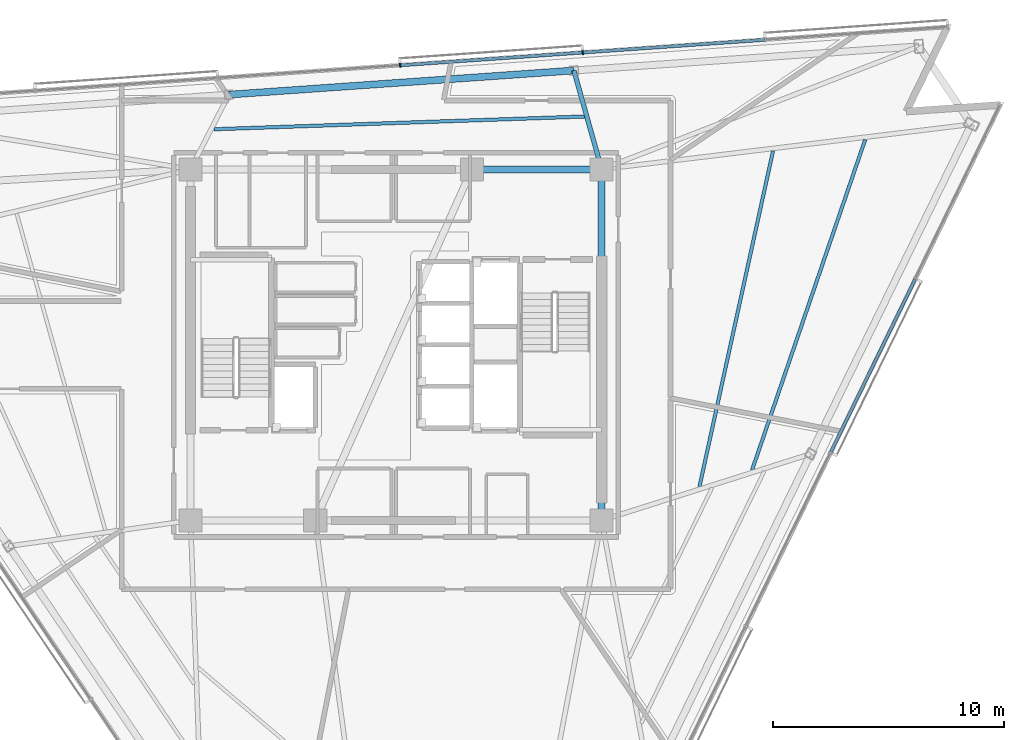
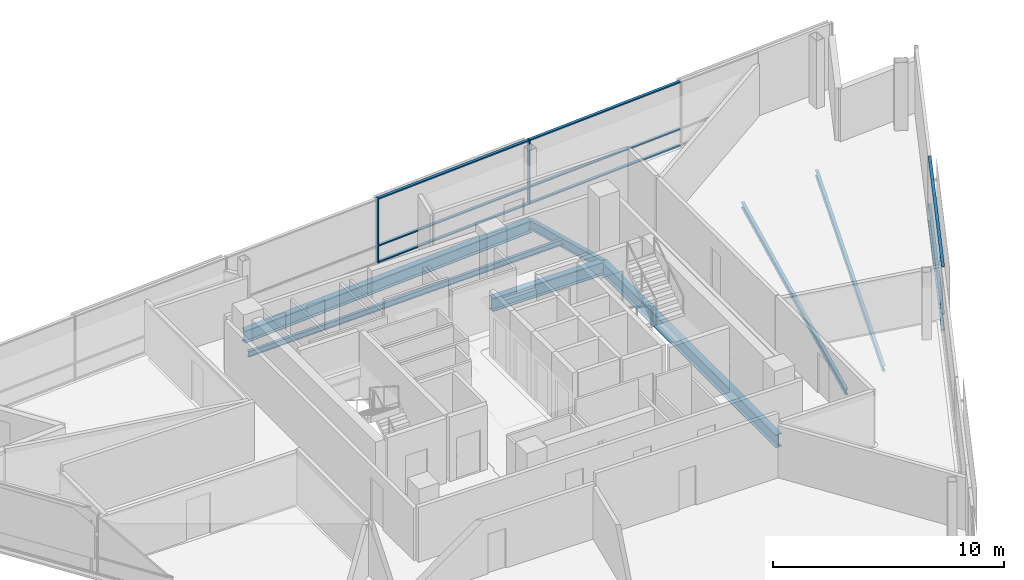
# One storey, part 6 of 16: 11 members, 7 beams, 2 elements without a shape of their own.
"""IFC4 building model written with IfcOpenShell, lengths in metres."""

from ifc_helpers import new_model, si_unit, direction, frame, origin, origin_2d, place, context, subcontext, project, spatial, rectangle, i_section, extrude, material, layer, layer_set, material_profile, profile_set, type_object, element, aggregate, save


model = new_model("IFC4")

# Units and contexts
model_context = context("Model", 3, precision=1e-05, world=origin(), true_north=direction((0.0, 1.0)))
body_context = subcontext(model_context, "Body", "Model", "MODEL_VIEW")
ifc_project = project(units=[si_unit("LENGTHUNIT", "METRE"), si_unit("AREAUNIT", "SQUARE_METRE"), si_unit("VOLUMEUNIT", "CUBIC_METRE"), si_unit("PLANEANGLEUNIT", "RADIAN"), si_unit("MASSUNIT", "GRAM", prefix="KILO")], contexts=[model_context])

# Site, building, storey
site_placement = place(None, origin())
site = spatial("IfcSite", under=ifc_project, at=site_placement, CompositionType="ELEMENT")
building_placement = place(site_placement, origin())
building = spatial("IfcBuilding", under=site, at=building_placement, Name="Tharavind Bronze Gate", CompositionType="ELEMENT")
storey_placement = place(building_placement, frame((0.0, 0.0, 264.199951171875)))
storey = spatial("IfcBuildingStorey", under=building, at=storey_placement, Name="L68", CompositionType="ELEMENT", Elevation=264.199951171875)

# Curtain wall, members
ifc_material_1 = material(Name="Anodised Bronze Aluminium", Category="aluminium")
ifc_layer = layer(ifc_material_1, 0.219970703125)
ifc_layer_set = layer_set([ifc_layer], Name="Anodised Bronze Aluminium")
curtain_wall_type = type_object("IfcCurtainWallType", Name="UNITISED CURTAIN WALL UPPER OFFICE", PredefinedType="USERDEFINED", material=ifc_layer_set)
curtain_wall_1_placement = place(storey_placement, origin())
curtain_wall_1 = element("IfcCurtainWall", 1, at=curtain_wall_1_placement, inside=storey, type_object=curtain_wall_type, Name="L68 unitised curtain wall upper office CW-L68-S3", ObjectType="UNITISED CURTAIN WALL", PredefinedType="USERDEFINED")
member_type_1 = type_object("IfcMemberType", Name="CURTAIN WALL BRONZE MULLION 65X180", PredefinedType="MULLION", material=ifc_material_1)
member_1_placement = place(storey_placement, frame((8.078369140625, 12.656005859375, 0.0), z_axis=(0.0, 0.0, 1.0), x_axis=(-0.997563806758, -0.069759955899, 0.0)))
member_1 = element("IfcMember", 2, at=member_1_placement, type_object=member_type_1, Name="CW-L68-S3 mullion 3", PredefinedType="MULLION", context=body_context, shape_type="SweptSolid", body=[
    extrude(rectangle(XDim=0.06494140625, YDim=0.179931640625, at=origin_2d()), origin(), (0.0, 0.0, 1.0), 3.419921875),
])
member_2_placement = place(storey_placement, frame((0.177490234375, 12.103515625, 0.0), z_axis=(0.0, 0.0, 1.0), x_axis=(-0.997563806758, -0.069759955899, 0.0)))
member_2 = element("IfcMember", 3, at=member_2_placement, type_object=member_type_1, Name="CW-L68-S3 mullion 4", PredefinedType="MULLION", context=body_context, shape_type="SweptSolid", body=[
    extrude(rectangle(XDim=0.06494140625, YDim=0.179931640625, at=origin_2d()), origin(), (0.0, 0.0, 1.0), 3.419921875),
])

curtain_wall_2_placement = place(storey_placement, origin())
curtain_wall_2 = element("IfcCurtainWall", 4, at=curtain_wall_2_placement, inside=storey, type_object=curtain_wall_type, Name="L68 unitised curtain wall upper office CW-L68-S2", ObjectType="UNITISED CURTAIN WALL", PredefinedType="USERDEFINED")
member_type_2 = type_object("IfcMemberType", Name="CURTAIN WALL BRONZE TRANSOM 65X140", PredefinedType="USERDEFINED", material=ifc_material_1)
member_3_placement = place(storey_placement, frame((20.64990234375, -0.89892578125, 0.0), z_axis=(0.0, 0.0, 1.0), x_axis=(0.43837271548, 0.898793281196, 0.0)))
member_3 = element("IfcMember", 5, at=member_3_placement, type_object=member_type_2, Name="CW-L68-S2 transom TB5", ObjectType="TRANSOM", PredefinedType="USERDEFINED", context=body_context, shape_type="SweptSolid", body=[
    extrude(rectangle(XDim=8.3193359375, YDim=0.139892578125, at=origin_2d()), origin(), (0.0, 0.0, 1.0), 0.06494140625),
])
member_4_placement = place(storey_placement, frame((20.64990234375, -0.89892578125, 0.86767578125), z_axis=(0.0, 0.0, 1.0), x_axis=(0.43837271548, 0.898793281196, 0.0)))
member_4 = element("IfcMember", 6, at=member_4_placement, type_object=member_type_2, Name="CW-L68-S2 transom TS5", ObjectType="TRANSOM", PredefinedType="USERDEFINED", context=body_context, shape_type="SweptSolid", body=[
    extrude(rectangle(XDim=8.3193359375, YDim=0.139892578125, at=origin_2d()), origin(), (0.0, 0.0, 1.0), 0.06494140625),
])
member_5_placement = place(storey_placement, frame((20.64990234375, -0.89892578125, 3.35498046875), z_axis=(0.0, 0.0, 1.0), x_axis=(0.43837271548, 0.898793281196, 0.0)))
member_5 = element("IfcMember", 7, at=member_5_placement, type_object=member_type_2, Name="CW-L68-S2 transom TT5", ObjectType="TRANSOM", PredefinedType="USERDEFINED", context=body_context, shape_type="SweptSolid", body=[
    extrude(rectangle(XDim=8.3193359375, YDim=0.139892578125, at=origin_2d()), origin(), (0.0, 0.0, 1.0), 0.06494140625),
])
aggregate(curtain_wall_2, [member_3, member_4, member_5])

# Member
member_6_placement = place(storey_placement, frame((12.02880859375, 12.932373046875, 0.0), z_axis=(0.0, 0.0, 1.0), x_axis=(-0.997563806758, -0.069759955899, 0.0)))
member_6 = element("IfcMember", 8, at=member_6_placement, type_object=member_type_2, Name="CW-L68-S3 transom TB2", ObjectType="TRANSOM", PredefinedType="USERDEFINED", context=body_context, shape_type="SweptSolid", body=[
    extrude(rectangle(XDim=7.8671875, YDim=0.139892578125, at=origin_2d()), origin(), (0.0, 0.0, 1.0), 0.06494140625),
])

member_7_placement = place(storey_placement, frame((12.02880859375, 12.932373046875, 0.86767578125), z_axis=(0.0, 0.0, 1.0), x_axis=(-0.997563806758, -0.069759955899, 0.0)))
member_7 = element("IfcMember", 9, at=member_7_placement, type_object=member_type_2, Name="CW-L68-S3 transom TS2", ObjectType="TRANSOM", PredefinedType="USERDEFINED", context=body_context, shape_type="SweptSolid", body=[
    extrude(rectangle(XDim=7.8671875, YDim=0.139892578125, at=origin_2d()), origin(), (0.0, 0.0, 1.0), 0.06494140625),
])

member_8_placement = place(storey_placement, frame((12.02880859375, 12.932373046875, 3.35498046875), z_axis=(0.0, 0.0, 1.0), x_axis=(-0.997563806758, -0.069759955899, 0.0)))
member_8 = element("IfcMember", 10, at=member_8_placement, type_object=member_type_2, Name="CW-L68-S3 transom TT2", ObjectType="TRANSOM", PredefinedType="USERDEFINED", context=body_context, shape_type="SweptSolid", body=[
    extrude(rectangle(XDim=7.8671875, YDim=0.139892578125, at=origin_2d()), origin(), (0.0, 0.0, 1.0), 0.06494140625),
])

member_9_placement = place(storey_placement, frame((4.1279296875, 12.3798828125, 0.0), z_axis=(0.0, 0.0, 1.0), x_axis=(-0.997563806758, -0.069759955899, 0.0)))
member_9 = element("IfcMember", 11, at=member_9_placement, type_object=member_type_2, Name="CW-L68-S3 transom TB3", ObjectType="TRANSOM", PredefinedType="USERDEFINED", context=body_context, shape_type="SweptSolid", body=[
    extrude(rectangle(XDim=7.8671875, YDim=0.139892578125, at=origin_2d()), origin(), (0.0, 0.0, 1.0), 0.06494140625),
])

member_10_placement = place(storey_placement, frame((4.1279296875, 12.3798828125, 0.86767578125), z_axis=(0.0, 0.0, 1.0), x_axis=(-0.997563806758, -0.069759955899, 0.0)))
member_10 = element("IfcMember", 12, at=member_10_placement, type_object=member_type_2, Name="CW-L68-S3 transom TS3", ObjectType="TRANSOM", PredefinedType="USERDEFINED", context=body_context, shape_type="SweptSolid", body=[
    extrude(rectangle(XDim=7.8671875, YDim=0.139892578125, at=origin_2d()), origin(), (0.0, 0.0, 1.0), 0.06494140625),
])

member_11_placement = place(storey_placement, frame((4.1279296875, 12.3798828125, 3.35498046875), z_axis=(0.0, 0.0, 1.0), x_axis=(-0.997563806758, -0.069759955899, 0.0)))
member_11 = element("IfcMember", 13, at=member_11_placement, type_object=member_type_2, Name="CW-L68-S3 transom TT3", ObjectType="TRANSOM", PredefinedType="USERDEFINED", context=body_context, shape_type="SweptSolid", body=[
    extrude(rectangle(XDim=7.8671875, YDim=0.139892578125, at=origin_2d()), origin(), (0.0, 0.0, 1.0), 0.06494140625),
])

aggregate(curtain_wall_1, [member_1, member_2, member_6, member_7, member_8, member_9, member_10, member_11])

# Beams
ifc_material_2 = material(Name="Steel S355", Category="steel")
ifc_material_profile_1 = material_profile(ifc_material_2, i_section(OverallWidth=0.300048828125, OverallDepth=0.64990234375, WebThickness=0.01611328125, FlangeThickness=0.031005859375, at=origin_2d()), Name="HE650B")
ifc_profile_set_1 = profile_set([ifc_material_profile_1], Name="Steel S355")
beam_type_1 = type_object("IfcBeamType", Name="PRIMARY GIRDER HE650B", PredefinedType="USERDEFINED", material=ifc_profile_set_1)
beam_1_placement = place(storey_placement, frame((7.69873046875, 11.877685546875, -0.5048828125), z_axis=(-0.997563609873, -0.069762771286, 0.0), x_axis=(0.069762771286, -0.997563609873, 0.0)))
element("IfcBeam", 14, at=beam_1_placement, inside=storey, type_object=beam_type_1, Name="L68 primary girder he650b BM-L68-PRG10", ObjectType="GIRDER", PredefinedType="USERDEFINED", context=body_context, shape_type="SweptSolid", body=[
    extrude(i_section(OverallWidth=0.300048828125, OverallDepth=0.64990234375, WebThickness=0.01611328125, FlangeThickness=0.031005859375, at=origin_2d()), origin(), (0.0, 0.0, 1.0), 14.974609375),
])
ifc_material_profile_2 = material_profile(ifc_material_2, i_section(OverallWidth=0.199951171875, OverallDepth=0.5, WebThickness=0.01025390625, FlangeThickness=0.01611328125, at=origin_2d()), Name="IPE500")
ifc_profile_set_2 = profile_set([ifc_material_profile_2], Name="Steel S355")
beam_type_2 = type_object("IfcBeamType", Name="PRIMARY GIRDER IPE500", PredefinedType="USERDEFINED", material=ifc_profile_set_2)
beam_2_placement = place(storey_placement, frame((7.69873046875, 11.877685546875, -0.429931640625), z_axis=(0.270349324095, -0.962762298265, 0.0), x_axis=(0.962762298265, 0.270349324095, 0.0)))
element("IfcBeam", 15, at=beam_2_placement, inside=storey, type_object=beam_type_2, Name="L68 primary girder ipe500 BM-L68-RAD10", ObjectType="GIRDER", PredefinedType="USERDEFINED", context=body_context, shape_type="SweptSolid", body=[
    extrude(i_section(OverallWidth=0.199951171875, OverallDepth=0.5, WebThickness=0.01025390625, FlangeThickness=0.01611328125, at=origin_2d()), origin(), (0.0, 0.0, 1.0), 4.443115234375),
])
ifc_material_profile_3 = material_profile(ifc_material_2, i_section(OverallWidth=0.300048828125, OverallDepth=0.699951171875, WebThickness=0.01708984375, FlangeThickness=0.031982421875, at=origin_2d()), Name="HE700B")
ifc_profile_set_3 = profile_set([ifc_material_profile_3], Name="Steel S355")
beam_type_3 = type_object("IfcBeamType", Name="RING GIRDER HE700B", PredefinedType="USERDEFINED", material=ifc_profile_set_3)
beam_3_placement = place(storey_placement, frame((8.89990234375, -7.60009765625, -0.530029296875), z_axis=(0.0, 1.0, 0.0), x_axis=(-1.0, 0.0, 0.0)))
element("IfcBeam", 16, at=beam_3_placement, inside=storey, type_object=beam_type_3, Name="L68 ring girder he700b BM-L68-CR3", ObjectType="GIRDER", PredefinedType="USERDEFINED", context=body_context, shape_type="SweptSolid", body=[
    extrude(i_section(OverallWidth=0.300048828125, OverallDepth=0.699951171875, WebThickness=0.01708984375, FlangeThickness=0.031982421875, at=origin_2d()), origin(), (0.0, 0.0, 1.0), 15.2001953125),
])
beam_4_placement = place(storey_placement, frame((8.89990234375, 7.60009765625, -0.530029296875), z_axis=(-1.0, 0.0, 0.0), x_axis=(0.0, -1.0, 0.0)))
element("IfcBeam", 17, at=beam_4_placement, inside=storey, type_object=beam_type_3, Name="L68 ring girder he700b BM-L68-CR4", ObjectType="GIRDER", PredefinedType="USERDEFINED", context=body_context, shape_type="SweptSolid", body=[
    extrude(i_section(OverallWidth=0.300048828125, OverallDepth=0.699951171875, WebThickness=0.01708984375, FlangeThickness=0.031982421875, at=origin_2d()), origin(), (0.0, 0.0, 1.0), 5.619873046875),
])
ifc_material_profile_4 = material_profile(ifc_material_2, i_section(OverallWidth=0.14990234375, OverallDepth=0.300048828125, WebThickness=0.007080078125, FlangeThickness=0.0107421875, at=origin_2d()), Name="IPE300")
ifc_profile_set_4 = profile_set([ifc_material_profile_4], Name="Steel S355")
beam_type_4 = type_object("IfcBeamType", Name="SECONDARY FLOOR JOIST IPE300", PredefinedType="JOIST", material=ifc_profile_set_4)
beam_5_placement = place(storey_placement, frame((13.13427734375, -6.14501953125, -0.329833984375), z_axis=(0.21409442117, 0.976812970237, 0.0), x_axis=(-0.976812970237, 0.21409442117, 0.0)))
element("IfcBeam", 18, at=beam_5_placement, inside=storey, type_object=beam_type_4, Name="L68 secondary floor joist ipe300 BM-L68-JSTA07", PredefinedType="JOIST", context=body_context, shape_type="SweptSolid", body=[
    extrude(i_section(OverallWidth=0.14990234375, OverallDepth=0.300048828125, WebThickness=0.007080078125, FlangeThickness=0.0107421875, at=origin_2d()), origin(), (0.0, 0.0, 1.0), 14.889404296875),
])
beam_6_placement = place(storey_placement, frame((15.4130859375, -5.420654296875, -0.329833984375), z_axis=(0.323918937062, 0.946084838803, 0.0), x_axis=(-0.946084838803, 0.323918937062, 0.0)))
element("IfcBeam", 19, at=beam_6_placement, inside=storey, type_object=beam_type_4, Name="L68 secondary floor joist ipe300 BM-L68-JSTB07", PredefinedType="JOIST", context=body_context, shape_type="SweptSolid", body=[
    extrude(i_section(OverallWidth=0.14990234375, OverallDepth=0.300048828125, WebThickness=0.007080078125, FlangeThickness=0.0107421875, at=origin_2d()), origin(), (0.0, 0.0, 1.0), 15.120849609375),
])
beam_7_placement = place(storey_placement, frame((8.150390625, 9.885009765625, -0.329833984375), z_axis=(-0.999410182426, -0.034340752228, 0.0), x_axis=(0.034340752228, -0.999410182426, 0.0)))
element("IfcBeam", 20, at=beam_7_placement, inside=storey, type_object=beam_type_4, Name="L68 secondary floor joist ipe300 BM-L68-JSTA10", PredefinedType="JOIST", context=body_context, shape_type="SweptSolid", body=[
    extrude(i_section(OverallWidth=0.14990234375, OverallDepth=0.300048828125, WebThickness=0.007080078125, FlangeThickness=0.0107421875, at=origin_2d()), origin(), (0.0, 0.0, 1.0), 16.052978515625),
])

save(model, "model.ifc")
